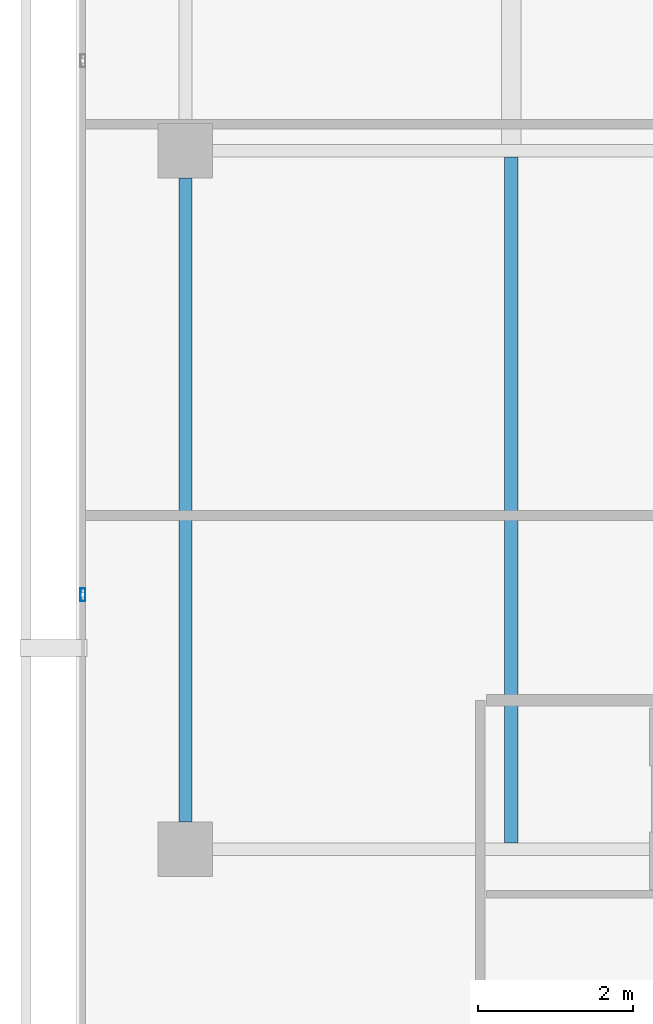
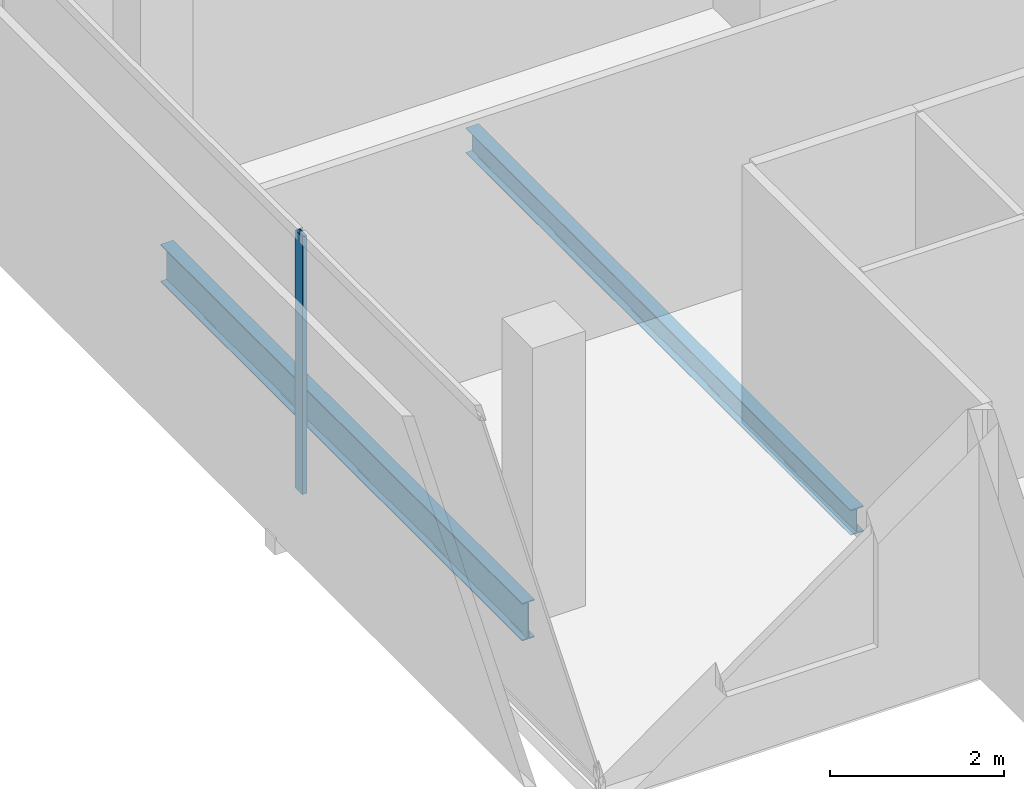
# One storey, part 4 of 26: 2 beams, 1 member, 1 element without a shape of its own.
"""IFC4 building model written with IfcOpenShell, lengths in metres."""

from ifc_helpers import new_model, si_unit, direction, frame, origin, origin_2d, place, context, subcontext, project, spatial, hollow_rectangle, i_section, extrude, material, layer, layer_set, material_profile, profile_set, type_object, element, aggregate, save


model = new_model("IFC4")

# Units and contexts
model_context = context("Model", 3, precision=1e-05, world=origin(), true_north=direction((0.0, 1.0)))
body_context = subcontext(model_context, "Body", "Model", "MODEL_VIEW")
ifc_project = project(units=[si_unit("LENGTHUNIT", "METRE"), si_unit("AREAUNIT", "SQUARE_METRE"), si_unit("VOLUMEUNIT", "CUBIC_METRE"), si_unit("PLANEANGLEUNIT", "RADIAN"), si_unit("MASSUNIT", "GRAM", prefix="KILO")], contexts=[model_context])

# Site, building, storey
site_placement = place(None, origin())
site = spatial("IfcSite", under=ifc_project, at=site_placement, CompositionType="ELEMENT")
building_placement = place(site_placement, origin())
building = spatial("IfcBuilding", under=site, at=building_placement, Name="Maruvema Waterfront Hotel and Observation Tower", CompositionType="ELEMENT")
storey_placement = place(building_placement, frame((0.0, 0.0, 289.449951171875)))
storey = spatial("IfcBuildingStorey", under=building, at=storey_placement, Name="L71", CompositionType="ELEMENT", Elevation=289.449951171875)

# Curtain wall, member
ifc_material_1 = material(Name="Anodised bronze aluminium and solar-control low-E IGU", Category="aluminium")
ifc_layer = layer(ifc_material_1, 0.159912109375, Name="Zone 3 Champagne Inner Thermal Curtain Wall System CW-04")
ifc_layer_set = layer_set([ifc_layer], Name="Anodised bronze aluminium and solar-control low-E IGU")
curtain_wall_type = type_object("IfcCurtainWallType", Name="Zone 3 Champagne Inner Thermal Curtain Wall System CW-04", PredefinedType="USERDEFINED", material=ifc_layer_set)
curtain_wall_placement = place(storey_placement, origin())
curtain_wall = element("IfcCurtainWall", 1, at=curtain_wall_placement, inside=storey, type_object=curtain_wall_type, Name="L71 Curtain Wall CW-L71-W", ObjectType="UNITISED CURTAIN WALL", PredefinedType="USERDEFINED")
ifc_material_2 = material(Name="Anodised architectural bronze aluminium", Category="aluminium")
ifc_material_profile_1 = material_profile(ifc_material_2, hollow_rectangle(XDim=0.06494140625, YDim=0.1650390625, WallThickness=0.00390625, at=origin_2d()), Name="ALU-M65x165")
ifc_profile_set_1 = profile_set([ifc_material_profile_1], Name="Anodised architectural bronze aluminium")
member_type = type_object("IfcMemberType", Name="Curtain Wall Primary Mullion ALU-M65x165", PredefinedType="MULLION", material=ifc_profile_set_1)
member_placement = place(storey_placement, frame((15.47998046875, 21.280029296875, 0.0), z_axis=(0.0, 0.0, 1.0), x_axis=(1.0, 0.0, 0.0)))
member = element("IfcMember", 2, at=member_placement, type_object=member_type, Name="CW-04 mullion 5", PredefinedType="MULLION", context=body_context, shape_type="SweptSolid", body=[
    extrude(hollow_rectangle(XDim=0.06494140625, YDim=0.1650390625, WallThickness=0.00390625, at=origin_2d()), origin(), (0.0, 0.0, 1.0), 3.610107421875),
])
aggregate(curtain_wall, [member])

# Beams
ifc_material_3 = material(Name="Steel ASTM A572 Grade 50", Category="steel")
ifc_material_profile_2 = material_profile(ifc_material_3, i_section(OverallWidth=0.166015625, OverallDepth=0.529052734375, WebThickness=0.009765625, FlangeThickness=0.013671875, FilletRadius=0.014892578125, at=origin_2d()), Name="W530x74.0")
ifc_profile_set_2 = profile_set([ifc_material_profile_2], Name="Steel ASTM A572 Grade 50")
beam_type_1 = type_object("IfcBeamType", Name="Primary Floor Girder W530x74.0", PredefinedType="BEAM", material=ifc_profile_set_2)
beam_1_placement = place(storey_placement, frame((16.800048828125, 18.35009765625, -0.50439453125), z_axis=(0.0, 1.0, 0.0), x_axis=(-1.0, 0.0, 0.0)))
element("IfcBeam", 3, at=beam_1_placement, inside=storey, type_object=beam_type_1, Name="L71 Floor Girder NS-01", PredefinedType="BEAM", context=body_context, shape_type="SweptSolid", body=[
    extrude(i_section(OverallWidth=0.166015625, OverallDepth=0.529052734375, WebThickness=0.009765625, FlangeThickness=0.013671875, FilletRadius=0.014892578125, at=origin_2d()), origin(), (0.0, 0.0, 1.0), 8.2998046875),
])
ifc_material_4 = material(Name="Steel ASTM A572 Grade 50", Category="steel")
ifc_material_profile_3 = material_profile(ifc_material_4, i_section(OverallWidth=0.1708984375, OverallDepth=0.35498046875, WebThickness=0.007080078125, FlangeThickness=0.01171875, FilletRadius=0.014892578125, at=origin_2d()), Name="W360x51.0")
ifc_profile_set_3 = profile_set([ifc_material_profile_3], Name="Steel ASTM A572 Grade 50")
beam_type_2 = type_object("IfcBeamType", Name="Secondary Floor Joist W360x51.0", PredefinedType="JOIST", material=ifc_profile_set_3)
beam_2_placement = place(storey_placement, frame((21.0, 18.0830078125, -0.41748046875), z_axis=(0.0, 1.0, 0.0), x_axis=(-1.0, 0.0, 0.0)))
element("IfcBeam", 4, at=beam_2_placement, inside=storey, type_object=beam_type_2, Name="L71 Secondary Floor Joist JS-01", PredefinedType="JOIST", context=body_context, shape_type="SweptSolid", body=[
    extrude(i_section(OverallWidth=0.1708984375, OverallDepth=0.35498046875, WebThickness=0.007080078125, FlangeThickness=0.01171875, FilletRadius=0.014892578125, at=origin_2d()), origin(), (0.0, 0.0, 1.0), 8.833984375),
])

save(model, "model.ifc")
